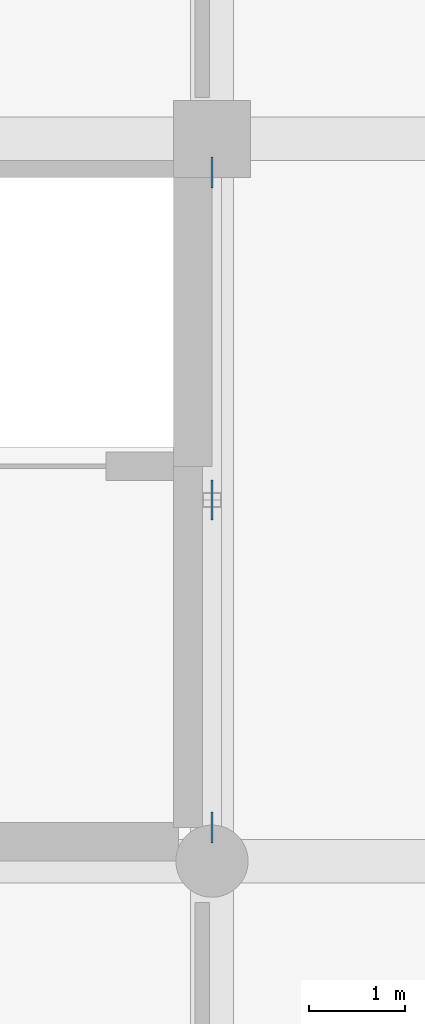
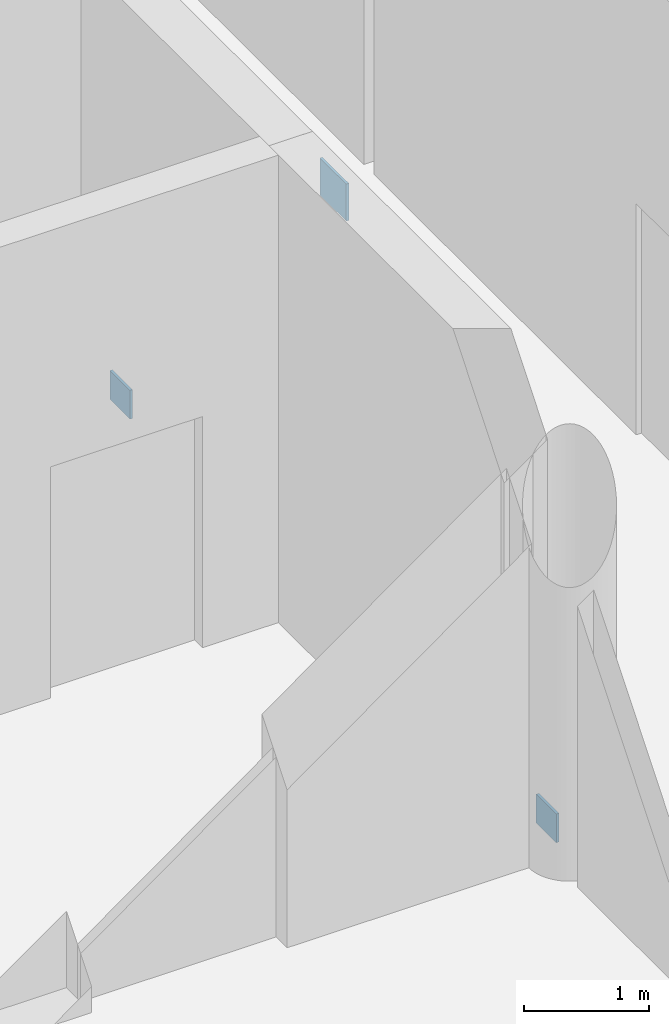
# One storey, part 95 of 131: 3 plates.
"""IFC4 building model written with IfcOpenShell, lengths in metres."""

from ifc_helpers import new_model, si_unit, direction, frame, origin, origin_2d, place, context, subcontext, project, spatial, rectangle, extrude, material, layer, layer_set, type_object, element, save


model = new_model("IFC4")

# Units and contexts
model_context = context("Model", 3, precision=1e-05, world=origin(), true_north=direction((0.0, 1.0)))
body_context = subcontext(model_context, "Body", "Model", "MODEL_VIEW")
ifc_project = project(units=[si_unit("LENGTHUNIT", "METRE"), si_unit("AREAUNIT", "SQUARE_METRE"), si_unit("VOLUMEUNIT", "CUBIC_METRE"), si_unit("PLANEANGLEUNIT", "RADIAN"), si_unit("MASSUNIT", "GRAM", prefix="KILO")], contexts=[model_context])

# Site, building, storey
site_placement = place(None, origin())
site = spatial("IfcSite", under=ifc_project, at=site_placement, CompositionType="ELEMENT")
building_placement = place(site_placement, origin())
building = spatial("IfcBuilding", under=site, at=building_placement, Name="Dalvernix Boulevard General Hospital", CompositionType="ELEMENT")
storey_placement = place(building_placement, frame((0.0, 0.0, 9.300048828125)))
storey = spatial("IfcBuildingStorey", under=building, at=storey_placement, Name="L02", CompositionType="ELEMENT", Elevation=9.300048828125)

# Plates
ifc_material = material(Name="Steel S355", Category="steel")
ifc_layer = layer(ifc_material, 0.028076171875)
ifc_layer_set = layer_set([ifc_layer], Name="Steel S355 (PLT-NP-03)")
plate_type = type_object("IfcPlateType", Name="PLT-NP-03", PredefinedType="SHEET", material=ifc_layer_set)
plate_placement = place(storey_placement, frame((15.0, 57.75, 4.02001953125), z_axis=(0.0, 0.0, 1.0), x_axis=(0.0, 1.0, 0.0)))
element("IfcPlate", 1, at=plate_placement, inside=storey, type_object=plate_type, Name="L02 brace apex gusset plate 2", PredefinedType="SHEET", context=body_context, shape_type="SweptSolid", body=[
    extrude(rectangle(XDim=0.419921875, YDim=0.02392578125, at=origin_2d()), origin(), (0.0, 0.0, 1.0), 0.360107421875),
])
for number, where, z_axis, x_axis, name in (
    (2, (15.0, 54.35009765625, 0.0), (0.0, 0.0, 1.0), (0.0, 1.0, 0.0), "L02 brace base gusset plate 2S"),
    (3, (15.0, 61.14990234375, 0.0), (0.0, 0.0, 1.0), (0.0, 1.0, 0.0), "L02 brace base gusset plate 2N"),
):
    element("IfcPlate", number, at=place(storey_placement, frame(where, z_axis=z_axis, x_axis=x_axis)), inside=storey, type_object=plate_type, Name=name, PredefinedType="SHEET", context=body_context, shape_type="SweptSolid", body=[
        extrude(rectangle(XDim=0.320068359375, YDim=0.02392578125, at=origin_2d()), origin(), (0.0, 0.0, 1.0), 0.280029296875),
    ])

save(model, "model.ifc")
